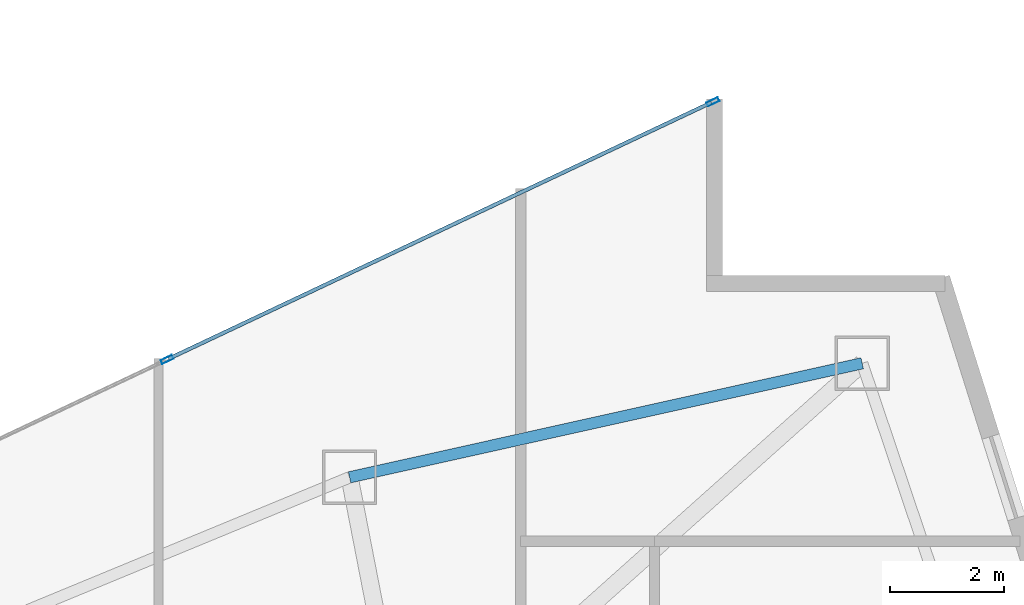
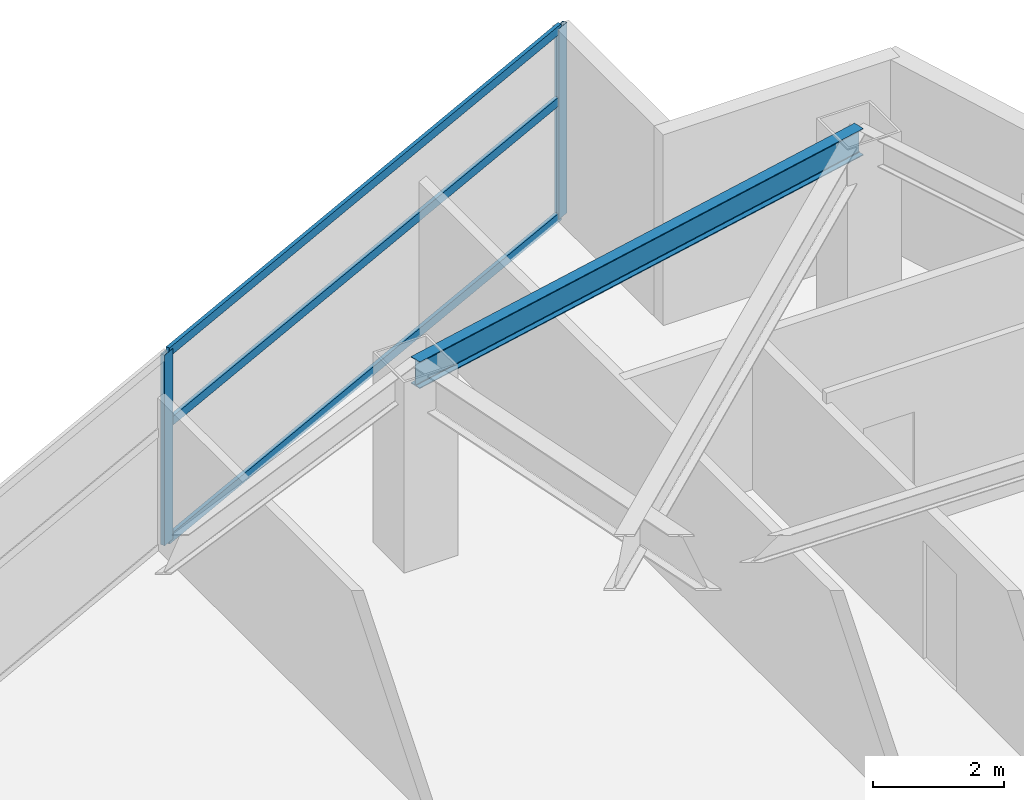
# One storey, part 20 of 30: 5 members, 1 beam, 1 element without a shape of its own.
"""IFC4 building model written with IfcOpenShell, lengths in metres."""

from ifc_helpers import new_model, si_unit, direction, frame, origin, origin_2d, place, context, subcontext, project, spatial, hollow_rectangle, i_section, extrude, material, layer, layer_set, material_profile, profile_set, type_object, element, aggregate, save


model = new_model("IFC4")

# Units and contexts
model_context = context("Model", 3, precision=1e-05, world=origin(), true_north=direction((0.0, 1.0)))
body_context = subcontext(model_context, "Body", "Model", "MODEL_VIEW")
ifc_project = project(units=[si_unit("LENGTHUNIT", "METRE"), si_unit("AREAUNIT", "SQUARE_METRE"), si_unit("VOLUMEUNIT", "CUBIC_METRE"), si_unit("PLANEANGLEUNIT", "RADIAN"), si_unit("MASSUNIT", "GRAM", prefix="KILO")], contexts=[model_context])

# Site, building, storey
site_placement = place(None, origin())
site = spatial("IfcSite", under=ifc_project, at=site_placement, CompositionType="ELEMENT")
building_placement = place(site_placement, origin())
building = spatial("IfcBuilding", under=site, at=building_placement, Name="Calvorn Quay Hotel", CompositionType="ELEMENT")
storey_placement = place(building_placement, frame((0.0, 0.0, 50.800048828125)))
storey = spatial("IfcBuildingStorey", under=building, at=storey_placement, Name="L11", CompositionType="ELEMENT", Elevation=50.800048828125)

# Beam
ifc_material_1 = material(Name="Steel Q355B", Category="steel")
ifc_material_profile_1 = material_profile(ifc_material_1, i_section(OverallWidth=0.199951171875, OverallDepth=0.5, WebThickness=0.010009765625, FlangeThickness=0.01611328125, FilletRadius=0.01611328125, at=origin_2d()), Name="HN500x200x10x16")
ifc_profile_set_1 = profile_set([ifc_material_profile_1], Name="Steel Q355B")
beam_type = type_object("IfcBeamType", Name="BM-SPANDREL-Z1", PredefinedType="SPANDREL", material=ifc_profile_set_1)
beam_placement = place(storey_placement, frame((52.990966796875, 33.39990234375, 3.2900390625), z_axis=(-0.976140886259, -0.217138136156, 0.0), x_axis=(0.217138136156, -0.976140886259, 0.0)))
element("IfcBeam", 1, at=beam_placement, inside=storey, type_object=beam_type, Name="Beam BSP-L11-E3", PredefinedType="SPANDREL", context=body_context, shape_type="SweptSolid", body=[
    extrude(i_section(OverallWidth=0.199951171875, OverallDepth=0.5, WebThickness=0.010009765625, FlangeThickness=0.01611328125, FilletRadius=0.01611328125, at=origin_2d()), origin(), (0.0, 0.0, 1.0), 9.210693359375),
])

# Curtain wall, members
ifc_material_2 = material(Name="Pale Anodised Aluminium and Low-E Glass", Category="aluminium")
ifc_layer = layer(ifc_material_2, 0.219970703125)
ifc_layer_set = layer_set([ifc_layer], Name="CW-SYS-Z1")
curtain_wall_type = type_object("IfcCurtainWallType", Name="CW-SYS-Z1", PredefinedType="NOTDEFINED", material=ifc_layer_set)
curtain_wall_placement = place(storey_placement, origin())
curtain_wall = element("IfcCurtainWall", 2, at=curtain_wall_placement, inside=storey, type_object=curtain_wall_type, Name="Inner Court Curtain Wall L11-NE1", PredefinedType="NOTDEFINED")
ifc_material_3 = material(Name="Pale Anodised Aluminium 6063-T6", Category="aluminium")
ifc_material_profile_2 = material_profile(ifc_material_3, hollow_rectangle(XDim=0.074951171875, YDim=0.219970703125, WallThickness=0.00439453125, at=origin_2d()), Name="ALU-M220x75x4.5")
ifc_profile_set_2 = profile_set([ifc_material_profile_2], Name="Pale Anodised Aluminium 6063-T6")
member_type_1 = type_object("IfcMemberType", Name="CW-SYS-Z1-MUL", PredefinedType="MULLION", material=ifc_profile_set_2)
member_1_placement = place(storey_placement, frame((50.372802734375, 37.9873046875, 0.0), z_axis=(0.0, 0.0, 1.0), x_axis=(0.427006305415, -0.904248646743, 0.0)))
member_1 = element("IfcMember", 3, at=member_1_placement, type_object=member_type_1, Name="CW-L11-NE1 mullion 1", PredefinedType="MULLION", context=body_context, shape_type="SweptSolid", body=[
    extrude(hollow_rectangle(XDim=0.074951171875, YDim=0.219970703125, WallThickness=0.00439453125, at=origin_2d()), origin(), (0.0, 0.0, 1.0), 3.56005859375),
])
member_2_placement = place(storey_placement, frame((40.800048828125, 33.466552734375, 0.0), z_axis=(0.0, 0.0, 1.0), x_axis=(0.427006305415, -0.904248646743, 0.0)))
member_2 = element("IfcMember", 4, at=member_2_placement, type_object=member_type_1, Name="CW-L11-NE1 mullion 2", PredefinedType="MULLION", context=body_context, shape_type="SweptSolid", body=[
    extrude(hollow_rectangle(XDim=0.074951171875, YDim=0.219970703125, WallThickness=0.00439453125, at=origin_2d()), origin(), (0.0, 0.0, 1.0), 3.56005859375),
])
ifc_material_4 = material(Name="Pale Anodised Aluminium 6063-T6", Category="aluminium")
ifc_material_profile_3 = material_profile(ifc_material_4, hollow_rectangle(XDim=0.06494140625, YDim=0.1650390625, WallThickness=0.00341796875, at=origin_2d()), Name="ALU-T165x65x3.5")
ifc_profile_set_3 = profile_set([ifc_material_profile_3], Name="Pale Anodised Aluminium 6063-T6")
member_type_2 = type_object("IfcMemberType", Name="CW-SYS-Z1-TRN", PredefinedType="USERDEFINED", material=ifc_profile_set_3)
member_3_placement = place(storey_placement, frame((50.345703125, 37.974365234375, 0.030029296875), z_axis=(-0.904248646746, -0.427006305408, 0.0), x_axis=(0.427006305408, -0.904248646746, 0.0)))
member_3 = element("IfcMember", 5, at=member_3_placement, type_object=member_type_2, Name="CW-L11-NE1 transom 1.1", ObjectType="TRANSOM", PredefinedType="USERDEFINED", context=body_context, shape_type="SweptSolid", body=[
    extrude(hollow_rectangle(XDim=0.06494140625, YDim=0.1650390625, WallThickness=0.00341796875, at=origin_2d()), origin(), (0.0, 0.0, 1.0), 10.5263671875),
])
member_4_placement = place(storey_placement, frame((50.345703125, 37.974365234375, 2.199951171875), z_axis=(-0.904248646746, -0.427006305408, 0.0), x_axis=(0.427006305408, -0.904248646746, 0.0)))
member_4 = element("IfcMember", 6, at=member_4_placement, type_object=member_type_2, Name="CW-L11-NE1 transom 1.2", ObjectType="TRANSOM", PredefinedType="USERDEFINED", context=body_context, shape_type="SweptSolid", body=[
    extrude(hollow_rectangle(XDim=0.06494140625, YDim=0.1650390625, WallThickness=0.00341796875, at=origin_2d()), origin(), (0.0, 0.0, 1.0), 10.5263671875),
])
member_5_placement = place(storey_placement, frame((50.345703125, 37.974365234375, 3.530029296875), z_axis=(-0.904248646746, -0.427006305408, 0.0), x_axis=(0.427006305408, -0.904248646746, 0.0)))
member_5 = element("IfcMember", 7, at=member_5_placement, type_object=member_type_2, Name="CW-L11-NE1 transom 1.3", ObjectType="TRANSOM", PredefinedType="USERDEFINED", context=body_context, shape_type="SweptSolid", body=[
    extrude(hollow_rectangle(XDim=0.06494140625, YDim=0.1650390625, WallThickness=0.00341796875, at=origin_2d()), origin(), (0.0, 0.0, 1.0), 10.5263671875),
])
aggregate(curtain_wall, [member_1, member_2, member_3, member_4, member_5])

save(model, "model.ifc")
